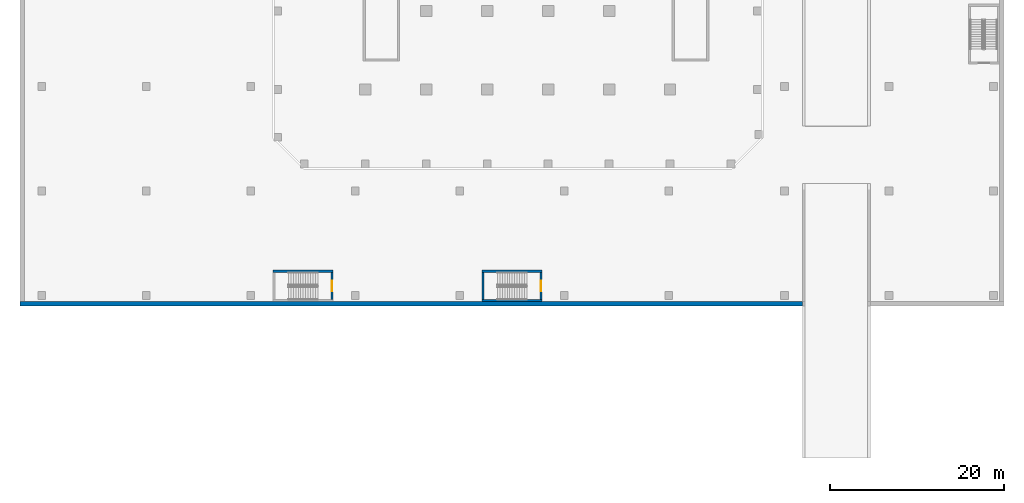
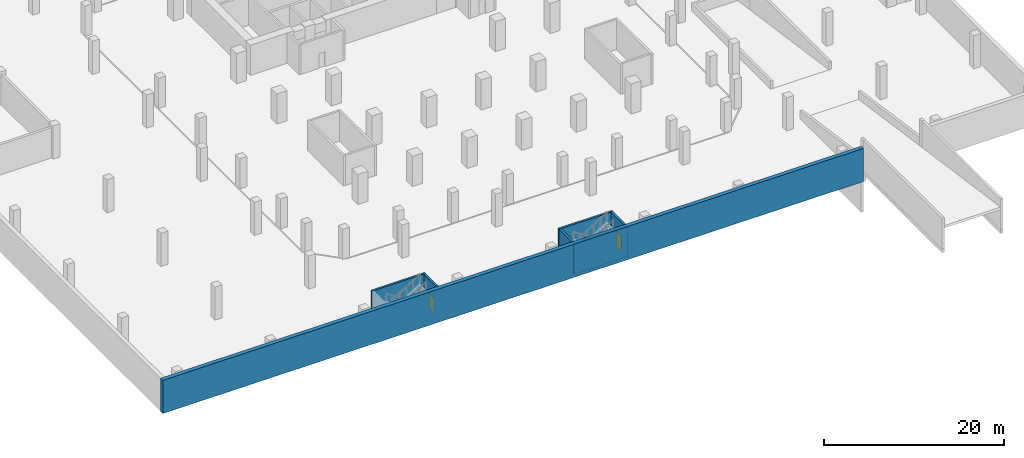
# One storey, part 2 of 11: 7 walls, 2 doors, 2 openings.
"""IFC4 building model written with IfcOpenShell, lengths in metres."""

from ifc_helpers import new_model, si_unit, direction, frame, frame_2d, origin, place, context, subcontext, project, spatial, rectangle, extrude, source, transform, mapped, material, layer, layer_set, type_object, element, fill, save


model = new_model("IFC4")

# Units and contexts
model_context = context("Model", 3, precision=1e-05, world=origin(), true_north=direction((0.0, 1.0)))
body_context = subcontext(model_context, "Body", "Model", "MODEL_VIEW")
ifc_project = project(units=[si_unit("LENGTHUNIT", "METRE"), si_unit("AREAUNIT", "SQUARE_METRE"), si_unit("VOLUMEUNIT", "CUBIC_METRE"), si_unit("PLANEANGLEUNIT", "RADIAN"), si_unit("MASSUNIT", "GRAM", prefix="KILO")], contexts=[model_context])

# Site, building, storey
site_placement = place(None, origin())
site = spatial("IfcSite", under=ifc_project, at=site_placement, CompositionType="ELEMENT")
building_placement = place(site_placement, origin())
building = spatial("IfcBuilding", under=site, at=building_placement, Name="Kilnfold Tower and Market Hall", CompositionType="ELEMENT")
storey_placement = place(building_placement, frame((0.0, 0.0, -4.5)))
storey = spatial("IfcBuildingStorey", under=building, at=storey_placement, Name="B1", CompositionType="ELEMENT", Elevation=-4.5)

# Walls
ifc_material_1 = material(Name="Concrete C40/50", Category="concrete")
ifc_layer_1 = layer(ifc_material_1, 0.5)
ifc_layer_set_1 = layer_set([ifc_layer_1], Name="Concrete C40/50")
wall_type_1 = type_object("IfcWallType", Name="BASEMENT RETAINING WALL 500", PredefinedType="SOLIDWALL", material=ifc_layer_set_1)
shared_shape_1 = source(origin(), body_context, "Body", "SweptSolid", [
    extrude(rectangle(XDim=89.849853515625, YDim=0.5, at=frame_2d((44.9248046875, 0.0))), origin(), (0.0, 0.0, 1.0), 4.5),
])
wall_1_placement = place(storey_placement, frame((-57.14990234375, -43.60009765625, 0.0), z_axis=(0.0, 0.0, 1.0), x_axis=(1.0, 0.0, 0.0)))
element("IfcWall", 1, at=wall_1_placement, inside=storey, type_object=wall_type_1, Name="Retaining wall B1 south", PredefinedType="SOLIDWALL", context=body_context, shape_type="MappedRepresentation", body=[
    mapped(shared_shape_1, transform((0.0, 0.0, 0.0))),
])
ifc_material_2 = material(Name="Concrete C50/60", Category="concrete")
ifc_layer_2 = layer(ifc_material_2, 0.25)
ifc_layer_set_2 = layer_set([ifc_layer_2], Name="Concrete C50/60")
wall_type_2 = type_object("IfcWallType", Name="CAR PARK STAIR WALL 250", PredefinedType="SHEAR", material=ifc_layer_set_2)
shared_shape_2 = source(origin(), body_context, "Body", "SweptSolid", [
    extrude(rectangle(XDim=6.900146484375, YDim=0.25, at=frame_2d((3.4501953125, 0.0))), origin(), (0.0, 0.0, 1.0), 4.090087890625),
])
for number, where, z_axis, x_axis, name in (
    (2, (-28.10009765625, -39.875, 0.0), (0.0, 0.0, 1.0), (1.0, 0.0, 0.0), "Stair CS1 wall north"),
    (3, (-4.10009765625, -43.22509765625, 0.0), (0.0, 0.0, 1.0), (1.0, 0.0, 0.0), "Stair CS2 wall south"),
    (4, (-4.10009765625, -39.875, 0.0), (0.0, 0.0, 1.0), (1.0, 0.0, 0.0), "Stair CS2 wall north"),
):
    element("IfcWall", number, at=place(storey_placement, frame(where, z_axis=z_axis, x_axis=x_axis)), inside=storey, type_object=wall_type_2, Name=name, PredefinedType="SHEAR", context=body_context, shape_type="MappedRepresentation", body=[
        mapped(shared_shape_2, transform((0.0, 0.0, 0.0))),
    ])

# Wall, opening, door
shared_shape_3 = source(origin(), body_context, "Body", "SweptSolid", [
    extrude(rectangle(XDim=3.10009765625, YDim=0.25, at=frame_2d((1.550048828125, 0.0))), origin(), (0.0, 0.0, 1.0), 4.090087890625),
])
wall_2_placement = place(storey_placement, frame((-21.324951171875, -43.10009765625, 0.0), z_axis=(0.0, 0.0, 1.0), x_axis=(0.0, 1.0, 0.0)))
wall_2 = element("IfcWall", 5, at=wall_2_placement, inside=storey, type_object=wall_type_2, Name="Stair CS1 wall east", PredefinedType="SHEAR", context=body_context, shape_type="MappedRepresentation", body=[
    mapped(shared_shape_3, transform((0.0, 0.0, 0.0))),
])
opening_1_placement = place(wall_2_placement, frame((0.949951171875, 0.0, 0.0)))
opening_1 = element("IfcOpeningElement", 6, at=opening_1_placement, cuts=wall_2, Name="Opening FD2", PredefinedType="OPENING", context=body_context, shape_type="SweptSolid", body=[
    extrude(rectangle(XDim=1.199951171875, YDim=2.10009765625, at=frame_2d((0.60009765625, 1.050048828125))), frame((0.0, 0.135009765625, 0.0), z_axis=(0.0, -1.0, 0.0), x_axis=(1.0, 0.0, 0.0)), (0.0, 0.0, 1.0), 0.27001953125),
])
ifc_material_3 = material(Name="Steel S355", Category="steel")
door_type = type_object("IfcDoorType", Name="CAR PARK STAIR DOOR 1200X2100", OperationType="NOTDEFINED", PredefinedType="DOOR", material=ifc_material_3)
door_1_placement = place(opening_1_placement, origin())
door_1 = element("IfcDoor", 7, at=door_1_placement, inside=storey, type_object=door_type, Name="Stair CS1 door", OperationType="SINGLE_SWING_RIGHT", OverallHeight=2.10009765625, OverallWidth=1.199951171875, PredefinedType="DOOR", context=body_context, shape_type="SweptSolid", body=[
    extrude(rectangle(XDim=1.199951171875, YDim=2.10009765625, at=frame_2d((0.60009765625, 1.050048828125))), frame((0.0, 0.02490234375, 0.0), z_axis=(0.0, -1.0, 0.0), x_axis=(1.0, 0.0, 0.0)), (0.0, 0.0, 1.0), 0.050048828125),
])
fill(opening_1, door_1)

# Wall
wall_3_placement = place(storey_placement, frame((-3.97509765625, -43.10009765625, 0.0), z_axis=(0.0, 0.0, 1.0), x_axis=(0.0, 1.0, 0.0)))
element("IfcWall", 8, at=wall_3_placement, inside=storey, type_object=wall_type_2, Name="Stair CS2 wall west", PredefinedType="SHEAR", context=body_context, shape_type="MappedRepresentation", body=[
    mapped(shared_shape_3, transform((0.0, 0.0, 0.0))),
])

# Wall, opening, door
wall_4_placement = place(storey_placement, frame((2.675048828125, -43.10009765625, 0.0), z_axis=(0.0, 0.0, 1.0), x_axis=(0.0, 1.0, 0.0)))
wall_4 = element("IfcWall", 9, at=wall_4_placement, inside=storey, type_object=wall_type_2, Name="Stair CS2 wall east", PredefinedType="SHEAR", context=body_context, shape_type="MappedRepresentation", body=[
    mapped(shared_shape_3, transform((0.0, 0.0, 0.0))),
])
opening_2_placement = place(wall_4_placement, frame((0.949951171875, 0.0, 0.0)))
opening_2 = element("IfcOpeningElement", 10, at=opening_2_placement, cuts=wall_4, Name="Opening FD2", PredefinedType="OPENING", context=body_context, shape_type="SweptSolid", body=[
    extrude(rectangle(XDim=1.199951171875, YDim=2.10009765625, at=frame_2d((0.60009765625, 1.050048828125))), frame((0.0, 0.135009765625, 0.0), z_axis=(0.0, -1.0, 0.0), x_axis=(1.0, 0.0, 0.0)), (0.0, 0.0, 1.0), 0.27001953125),
])
door_2_placement = place(opening_2_placement, origin())
door_2 = element("IfcDoor", 11, at=door_2_placement, inside=storey, type_object=door_type, Name="Stair CS2 door", OperationType="SINGLE_SWING_RIGHT", OverallHeight=2.10009765625, OverallWidth=1.199951171875, PredefinedType="DOOR", context=body_context, shape_type="SweptSolid", body=[
    extrude(rectangle(XDim=1.199951171875, YDim=2.10009765625, at=frame_2d((0.60009765625, 1.050048828125))), frame((0.0, 0.02490234375, 0.0), z_axis=(0.0, -1.0, 0.0), x_axis=(1.0, 0.0, 0.0)), (0.0, 0.0, 1.0), 0.050048828125),
])
fill(opening_2, door_2)

save(model, "model.ifc")
